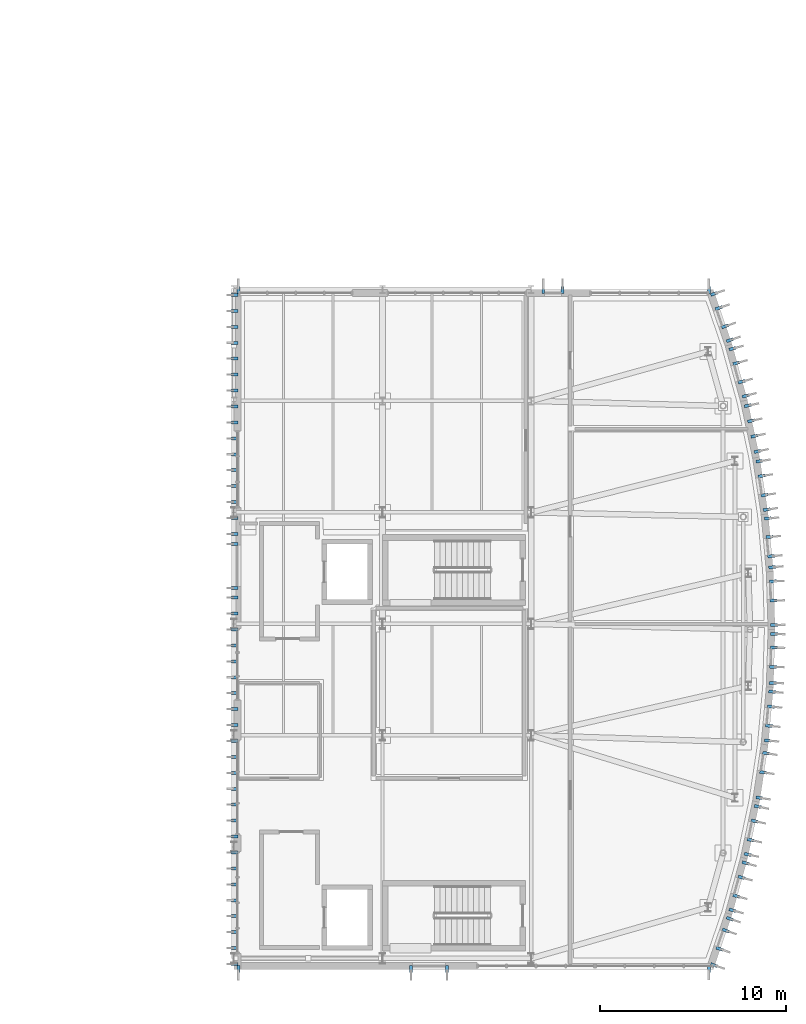
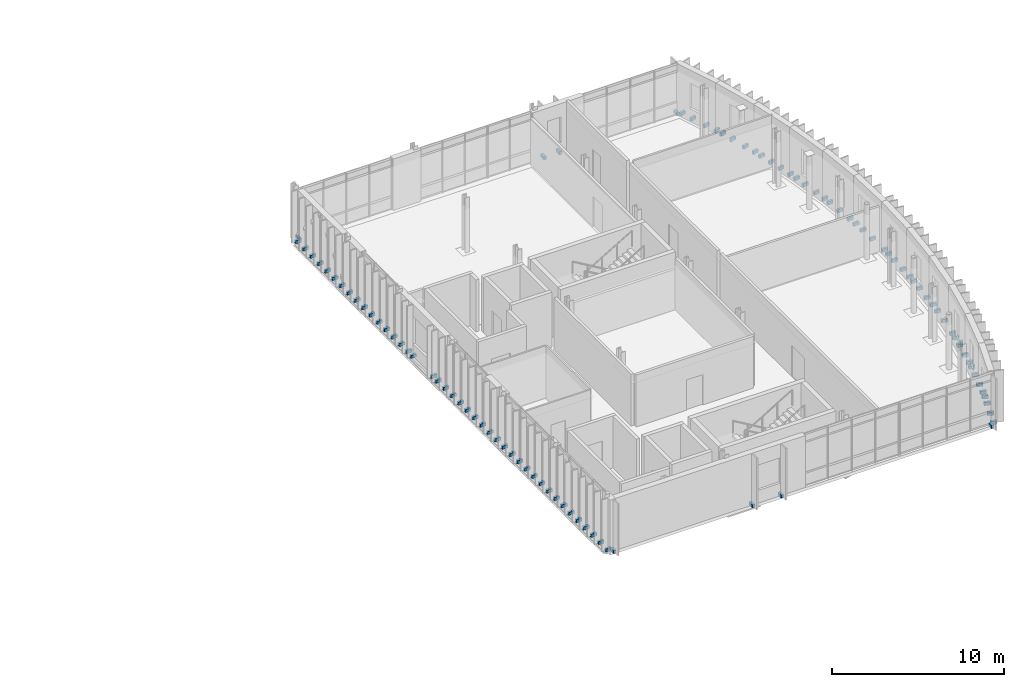
# One storey, part 32 of 43: 96 discrete accessories.
"""IFC4 building model written with IfcOpenShell, lengths in metres."""

from ifc_helpers import new_model, si_unit, direction, frame, origin, origin_2d, place, context, subcontext, project, spatial, rectangle, extrude, material, type_object, element, save


model = new_model("IFC4")

# Units and contexts
model_context = context("Model", 3, precision=1e-05, world=origin(), true_north=direction((0.0, 1.0)))
body_context = subcontext(model_context, "Body", "Model", "MODEL_VIEW")
ifc_project = project(units=[si_unit("LENGTHUNIT", "METRE"), si_unit("AREAUNIT", "SQUARE_METRE"), si_unit("VOLUMEUNIT", "CUBIC_METRE"), si_unit("PLANEANGLEUNIT", "RADIAN"), si_unit("MASSUNIT", "GRAM", prefix="KILO")], contexts=[model_context])

# Site, building, storey
site_placement = place(None, origin())
site = spatial("IfcSite", under=ifc_project, at=site_placement, CompositionType="ELEMENT")
building_placement = place(site_placement, origin())
building = spatial("IfcBuilding", under=site, at=building_placement, Name="Cymarion Research Institute", CompositionType="ELEMENT")
storey_placement = place(building_placement, frame((0.0, 0.0, 22.800048828125)))
storey = spatial("IfcBuildingStorey", under=building, at=storey_placement, Name="L05", CompositionType="ELEMENT", Elevation=22.800048828125)

# Discrete accessories
ifc_material = material(Name="Steel S355", Category="steel")
discrete_accessory_type = type_object("IfcDiscreteAccessoryType", Name="STAINLESS STEEL FACADE FIN BRACKET FBK1", PredefinedType="BRACKET", material=ifc_material)
for number, where, z_axis, x_axis, name in (
    (1, (138.840087890625, 4.93994140625, -0.08984375), (0.0, 0.0, 1.0), (0.0, -1.0, 0.0), "L05 V1 precast fin anchor bracket #505"),
    (2, (148.131103515625, 4.93994140625, -0.08984375), (0.0, 0.0, 1.0), (0.0, -1.0, 0.0), "L05 V1 precast fin anchor bracket #506"),
    (3, (150.071044921875, 4.93994140625, -0.08984375), (0.0, 0.0, 1.0), (0.0, -1.0, 0.0), "L05 V1 precast fin anchor bracket #507"),
    (4, (164.159912109375, 4.93994140625, -0.08984375), (0.0, 0.0, 1.0), (0.0, -1.0, 0.0), "L05 V1 precast fin anchor bracket #508"),
    (5, (164.439697265625, 5.139892578125, -0.08984375), (0.0, 0.0, 1.0), (0.946141878672, -0.32375229022, 0.0), "L05 V1 precast fin anchor bracket #509"),
    (6, (164.7392578125, 6.014892578125, -0.08984375), (0.0, 0.0, 1.0), (0.946141878672, -0.32375229022, 0.0), "L05 V1 precast fin anchor bracket #510"),
    (7, (165.07568359375, 6.998779296875, -0.08984375), (0.0, 0.0, 1.0), (0.946141878672, -0.32375229022, 0.0), "L05 V1 precast fin anchor bracket #511"),
    (8, (165.293212890625, 7.634521484375, -0.08984375), (0.0, 0.0, 1.0), (0.946141878672, -0.32375229022, 0.0), "L05 V1 precast fin anchor bracket #512"),
    (9, (165.43408203125, 8.090576171875, -0.08984375), (0.0, 0.0, 1.0), (0.963863295733, -0.266397348219, 0.0), "L05 V1 precast fin anchor bracket #513"),
    (10, (165.645263671875, 8.853759765625, -0.08984375), (0.0, 0.0, 1.0), (0.963863295733, -0.266397348219, 0.0), "L05 V1 precast fin anchor bracket #514"),
    (11, (165.92236328125, 9.856201171875, -0.08984375), (0.0, 0.0, 1.0), (0.963863295733, -0.266397348219, 0.0), "L05 V1 precast fin anchor bracket #515"),
    (12, (166.13671875, 10.631591796875, -0.08984375), (0.0, 0.0, 1.0), (0.963863295733, -0.266397348219, 0.0), "L05 V1 precast fin anchor bracket #516"),
    (13, (166.25, 11.09521484375, -0.08984375), (0.0, 0.0, 1.0), (0.978074966272, -0.208253116068, 0.0), "L05 V1 precast fin anchor bracket #517"),
    (14, (166.4150390625, 11.869873046875, -0.08984375), (0.0, 0.0, 1.0), (0.978074966272, -0.208253116068, 0.0), "L05 V1 precast fin anchor bracket #518"),
    (15, (166.631591796875, 12.886962890625, -0.08984375), (0.0, 0.0, 1.0), (0.978074966272, -0.208253116068, 0.0), "L05 V1 precast fin anchor bracket #519"),
    (16, (166.799072265625, 13.673583984375, -0.08984375), (0.0, 0.0, 1.0), (0.978074966272, -0.208253116068, 0.0), "L05 V1 precast fin anchor bracket #520"),
    (17, (166.884521484375, 14.143310546875, -0.08984375), (0.0, 0.0, 1.0), (0.988782464828, -0.149362770624, 0.0), "L05 V1 precast fin anchor bracket #521"),
    (18, (167.091064453125, 15.511962890625, -0.08984375), (0.0, 0.0, 1.0), (0.988782464828, -0.149362770624, 0.0), "L05 V1 precast fin anchor bracket #522"),
    (19, (167.24609375, 16.540283203125, -0.08984375), (0.0, 0.0, 1.0), (0.988782464828, -0.149362770624, 0.0), "L05 V1 precast fin anchor bracket #523"),
    (20, (167.3349609375, 17.22412109375, -0.08984375), (0.0, 0.0, 1.0), (0.995963111248, -0.089763472712, 0.0), "L05 V1 precast fin anchor bracket #524"),
    (21, (167.406005859375, 18.0126953125, -0.08984375), (0.0, 0.0, 1.0), (0.995963111248, -0.089763472712, 0.0), "L05 V1 precast fin anchor bracket #525"),
    (22, (167.49951171875, 19.048583984375, -0.08984375), (0.0, 0.0, 1.0), (0.995963111248, -0.089763472712, 0.0), "L05 V1 precast fin anchor bracket #526"),
    (23, (167.57177734375, 19.849609375, -0.08984375), (0.0, 0.0, 1.0), (0.995963111248, -0.089763472712, 0.0), "L05 V1 precast fin anchor bracket #527"),
    (24, (167.600341796875, 20.326171875, -0.08984375), (0.0, 0.0, 1.0), (0.99954944375, -0.030015154483, 0.0), "L05 V1 precast fin anchor bracket #528"),
    (25, (167.626220703125, 21.188720703125, -0.08984375), (0.0, 0.0, 1.0), (0.99954944375, -0.030015154483, 0.0), "L05 V1 precast fin anchor bracket #529"),
    (26, (167.6572265625, 22.228271484375, -0.08984375), (0.0, 0.0, 1.0), (0.99954944375, -0.030015154483, 0.0), "L05 V1 precast fin anchor bracket #530"),
    (27, (167.67919921875, 22.961181640625, -0.08984375), (0.0, 0.0, 1.0), (0.99954944375, -0.030015154483, 0.0), "L05 V1 precast fin anchor bracket #531"),
    (28, (167.67919921875, 23.438720703125, -0.08984375), (0.0, 0.0, 1.0), (0.99954944375, 0.030015154483, 0.0), "L05 V1 precast fin anchor bracket #532"),
    (29, (167.639892578125, 24.754150390625, -0.08984375), (0.0, 0.0, 1.0), (0.99954944375, 0.030015154483, 0.0), "L05 V1 precast fin anchor bracket #533"),
    (30, (167.608642578125, 25.793701171875, -0.08984375), (0.0, 0.0, 1.0), (0.99954944375, 0.030015154483, 0.0), "L05 V1 precast fin anchor bracket #534"),
    (31, (167.57177734375, 26.55029296875, -0.08984375), (0.0, 0.0, 1.0), (0.995963111248, 0.089763472712, 0.0), "L05 V1 precast fin anchor bracket #535"),
    (32, (167.518310546875, 27.143798828125, -0.08984375), (0.0, 0.0, 1.0), (0.995963111248, 0.089763472712, 0.0), "L05 V1 precast fin anchor bracket #536"),
    (33, (167.4248046875, 28.1796875, -0.08984375), (0.0, 0.0, 1.0), (0.995963111248, 0.089763472712, 0.0), "L05 V1 precast fin anchor bracket #537"),
    (34, (167.3349609375, 29.176025390625, -0.08984375), (0.0, 0.0, 1.0), (0.995963111248, 0.089763472712, 0.0), "L05 V1 precast fin anchor bracket #538"),
    (35, (167.27783203125, 29.64990234375, -0.08984375), (0.0, 0.0, 1.0), (0.988782464828, 0.149362770624, 0.0), "L05 V1 precast fin anchor bracket #539"),
    (36, (167.15966796875, 30.43310546875, -0.08984375), (0.0, 0.0, 1.0), (0.988782464828, 0.149362770624, 0.0), "L05 V1 precast fin anchor bracket #540"),
    (37, (167.00439453125, 31.46142578125, -0.08984375), (0.0, 0.0, 1.0), (0.988782464828, 0.149362770624, 0.0), "L05 V1 precast fin anchor bracket #541"),
    (38, (166.884521484375, 32.256591796875, -0.08984375), (0.0, 0.0, 1.0), (0.988782464828, 0.149362770624, 0.0), "L05 V1 precast fin anchor bracket #542"),
    (39, (166.78662109375, 32.784912109375, -0.08984375), (0.0, 0.0, 1.0), (0.978074966272, 0.208253116068, 0.0), "L05 V1 precast fin anchor bracket #543"),
    (40, (166.61181640625, 33.60546875, -0.08984375), (0.0, 0.0, 1.0), (0.978074966272, 0.208253116068, 0.0), "L05 V1 precast fin anchor bracket #544"),
    (41, (166.437255859375, 34.42578125, -0.08984375), (0.0, 0.0, 1.0), (0.978074966272, 0.208253116068, 0.0), "L05 V1 precast fin anchor bracket #545"),
    (42, (166.262451171875, 35.24609375, -0.08984375), (0.0, 0.0, 1.0), (0.978074966272, 0.208253116068, 0.0), "L05 V1 precast fin anchor bracket #546"),
    (43, (166.13671875, 35.7685546875, -0.08984375), (0.0, 0.0, 1.0), (0.963863295733, 0.266397348219, 0.0), "L05 V1 precast fin anchor bracket #547"),
    (44, (165.925537109375, 36.531982421875, -0.08984375), (0.0, 0.0, 1.0), (0.963863295733, 0.266397348219, 0.0), "L05 V1 precast fin anchor bracket #548"),
    (45, (165.6484375, 37.5341796875, -0.08984375), (0.0, 0.0, 1.0), (0.963863295733, 0.266397348219, 0.0), "L05 V1 precast fin anchor bracket #549"),
    (46, (165.43408203125, 38.3095703125, -0.08984375), (0.0, 0.0, 1.0), (0.963863295733, 0.266397348219, 0.0), "L05 V1 precast fin anchor bracket #550"),
    (47, (165.293212890625, 38.765625, -0.08984375), (0.0, 0.0, 1.0), (0.946141878672, 0.32375229022, 0.0), "L05 V1 precast fin anchor bracket #551"),
    (48, (165.036865234375, 39.514892578125, -0.08984375), (0.0, 0.0, 1.0), (0.946141878672, 0.32375229022, 0.0), "L05 V1 precast fin anchor bracket #552"),
    (49, (164.7001953125, 40.4990234375, -0.08984375), (0.0, 0.0, 1.0), (0.946141878672, 0.32375229022, 0.0), "L05 V1 precast fin anchor bracket #553"),
    (50, (164.439697265625, 41.260009765625, -0.08984375), (0.0, 0.0, 1.0), (0.946141878672, 0.32375229022, 0.0), "L05 V1 precast fin anchor bracket #554"),
    (51, (164.159912109375, 41.4599609375, -0.08984375), (0.0, 0.0, 1.0), (0.0, 1.0, 0.0), "L05 V1 precast fin anchor bracket #555"),
    (52, (156.289794921875, 41.4599609375, -0.08984375), (0.0, 0.0, 1.0), (0.0, 1.0, 0.0), "L05 V1 precast fin anchor bracket #556"),
    (53, (155.249755859375, 41.4599609375, -0.08984375), (0.0, 0.0, 1.0), (0.0, 1.0, 0.0), "L05 V1 precast fin anchor bracket #557"),
    (54, (138.840087890625, 41.4599609375, -0.08984375), (0.0, 0.0, 1.0), (0.0, 1.0, 0.0), "L05 V1 precast fin anchor bracket #558"),
    (55, (138.639892578125, 41.199951171875, -0.08984375), (0.0, 0.0, 1.0), (-1.0, 0.0, 0.0), "L05 V1 precast fin anchor bracket #559"),
    (56, (138.639892578125, 40.343017578125, -0.08984375), (0.0, 0.0, 1.0), (-1.0, 0.0, 0.0), "L05 V1 precast fin anchor bracket #560"),
    (57, (138.639892578125, 39.485595703125, -0.08984375), (0.0, 0.0, 1.0), (-1.0, 0.0, 0.0), "L05 V1 precast fin anchor bracket #561"),
    (58, (138.639892578125, 38.628662109375, -0.08984375), (0.0, 0.0, 1.0), (-1.0, 0.0, 0.0), "L05 V1 precast fin anchor bracket #562"),
    (59, (138.639892578125, 37.771484375, -0.08984375), (0.0, 0.0, 1.0), (-1.0, 0.0, 0.0), "L05 V1 precast fin anchor bracket #563"),
    (60, (138.639892578125, 36.914306640625, -0.08984375), (0.0, 0.0, 1.0), (-1.0, 0.0, 0.0), "L05 V1 precast fin anchor bracket #564"),
    (61, (138.639892578125, 36.05712890625, -0.08984375), (0.0, 0.0, 1.0), (-1.0, 0.0, 0.0), "L05 V1 precast fin anchor bracket #565"),
    (62, (138.639892578125, 35.199951171875, -0.08984375), (0.0, 0.0, 1.0), (-1.0, 0.0, 0.0), "L05 V1 precast fin anchor bracket #566"),
    (63, (138.639892578125, 34.343017578125, -0.08984375), (0.0, 0.0, 1.0), (-1.0, 0.0, 0.0), "L05 V1 precast fin anchor bracket #567"),
    (64, (138.639892578125, 33.485595703125, -0.08984375), (0.0, 0.0, 1.0), (-1.0, 0.0, 0.0), "L05 V1 precast fin anchor bracket #568"),
    (65, (138.639892578125, 32.628662109375, -0.08984375), (0.0, 0.0, 1.0), (-1.0, 0.0, 0.0), "L05 V1 precast fin anchor bracket #569"),
    (66, (138.639892578125, 31.771484375, -0.08984375), (0.0, 0.0, 1.0), (-1.0, 0.0, 0.0), "L05 V1 precast fin anchor bracket #570"),
    (67, (138.639892578125, 30.914306640625, -0.08984375), (0.0, 0.0, 1.0), (-1.0, 0.0, 0.0), "L05 V1 precast fin anchor bracket #571"),
    (68, (138.639892578125, 30.05712890625, -0.08984375), (0.0, 0.0, 1.0), (-1.0, 0.0, 0.0), "L05 V1 precast fin anchor bracket #572"),
    (69, (138.639892578125, 29.199951171875, -0.08984375), (0.0, 0.0, 1.0), (-1.0, 0.0, 0.0), "L05 V1 precast fin anchor bracket #573"),
    (70, (138.639892578125, 28.343017578125, -0.08984375), (0.0, 0.0, 1.0), (-1.0, 0.0, 0.0), "L05 V1 precast fin anchor bracket #574"),
    (71, (138.639892578125, 27.81005859375, -0.08984375), (0.0, 0.0, 1.0), (-1.0, 0.0, 0.0), "L05 V1 precast fin anchor bracket #575"),
    (72, (138.639892578125, 25.43994140625, -0.08984375), (0.0, 0.0, 1.0), (-1.0, 0.0, 0.0), "L05 V1 precast fin anchor bracket #576"),
    (73, (138.639892578125, 24.914306640625, -0.08984375), (0.0, 0.0, 1.0), (-1.0, 0.0, 0.0), "L05 V1 precast fin anchor bracket #577"),
    (74, (138.639892578125, 24.05712890625, -0.08984375), (0.0, 0.0, 1.0), (-1.0, 0.0, 0.0), "L05 V1 precast fin anchor bracket #578"),
    (75, (138.639892578125, 23.199951171875, -0.08984375), (0.0, 0.0, 1.0), (-1.0, 0.0, 0.0), "L05 V1 precast fin anchor bracket #579"),
    (76, (138.639892578125, 22.343017578125, -0.08984375), (0.0, 0.0, 1.0), (-1.0, 0.0, 0.0), "L05 V1 precast fin anchor bracket #580"),
    (77, (138.639892578125, 21.485595703125, -0.08984375), (0.0, 0.0, 1.0), (-1.0, 0.0, 0.0), "L05 V1 precast fin anchor bracket #581"),
    (78, (138.639892578125, 20.628662109375, -0.08984375), (0.0, 0.0, 1.0), (-1.0, 0.0, 0.0), "L05 V1 precast fin anchor bracket #582"),
    (79, (138.639892578125, 19.771484375, -0.08984375), (0.0, 0.0, 1.0), (-1.0, 0.0, 0.0), "L05 V1 precast fin anchor bracket #583"),
    (80, (138.639892578125, 18.914306640625, -0.08984375), (0.0, 0.0, 1.0), (-1.0, 0.0, 0.0), "L05 V1 precast fin anchor bracket #584"),
    (81, (138.639892578125, 18.05712890625, -0.08984375), (0.0, 0.0, 1.0), (-1.0, 0.0, 0.0), "L05 V1 precast fin anchor bracket #585"),
    (82, (138.639892578125, 17.199951171875, -0.08984375), (0.0, 0.0, 1.0), (-1.0, 0.0, 0.0), "L05 V1 precast fin anchor bracket #586"),
    (83, (138.639892578125, 16.343017578125, -0.08984375), (0.0, 0.0, 1.0), (-1.0, 0.0, 0.0), "L05 V1 precast fin anchor bracket #587"),
    (84, (138.639892578125, 15.485595703125, -0.08984375), (0.0, 0.0, 1.0), (-1.0, 0.0, 0.0), "L05 V1 precast fin anchor bracket #588"),
    (85, (138.639892578125, 14.628662109375, -0.08984375), (0.0, 0.0, 1.0), (-1.0, 0.0, 0.0), "L05 V1 precast fin anchor bracket #589"),
    (86, (138.639892578125, 13.771484375, -0.08984375), (0.0, 0.0, 1.0), (-1.0, 0.0, 0.0), "L05 V1 precast fin anchor bracket #590"),
    (87, (138.639892578125, 12.914306640625, -0.08984375), (0.0, 0.0, 1.0), (-1.0, 0.0, 0.0), "L05 V1 precast fin anchor bracket #591"),
    (88, (138.639892578125, 12.05712890625, -0.08984375), (0.0, 0.0, 1.0), (-1.0, 0.0, 0.0), "L05 V1 precast fin anchor bracket #592"),
    (89, (138.639892578125, 11.199951171875, -0.08984375), (0.0, 0.0, 1.0), (-1.0, 0.0, 0.0), "L05 V1 precast fin anchor bracket #593"),
    (90, (138.639892578125, 10.343017578125, -0.08984375), (0.0, 0.0, 1.0), (-1.0, 0.0, 0.0), "L05 V1 precast fin anchor bracket #594"),
    (91, (138.639892578125, 9.485595703125, -0.08984375), (0.0, 0.0, 1.0), (-1.0, 0.0, 0.0), "L05 V1 precast fin anchor bracket #595"),
    (92, (138.639892578125, 8.628662109375, -0.08984375), (0.0, 0.0, 1.0), (-1.0, 0.0, 0.0), "L05 V1 precast fin anchor bracket #596"),
    (93, (138.639892578125, 7.771484375, -0.08984375), (0.0, 0.0, 1.0), (-1.0, 0.0, 0.0), "L05 V1 precast fin anchor bracket #597"),
    (94, (138.639892578125, 6.914306640625, -0.08984375), (0.0, 0.0, 1.0), (-1.0, 0.0, 0.0), "L05 V1 precast fin anchor bracket #598"),
    (95, (138.639892578125, 6.05712890625, -0.08984375), (0.0, 0.0, 1.0), (-1.0, 0.0, 0.0), "L05 V1 precast fin anchor bracket #599"),
    (96, (138.639892578125, 5.199951171875, -0.08984375), (0.0, 0.0, 1.0), (-1.0, 0.0, 0.0), "L05 V1 precast fin anchor bracket #600"),
):
    element("IfcDiscreteAccessory", number, at=place(storey_placement, frame(where, z_axis=z_axis, x_axis=x_axis)), inside=storey, type_object=discrete_accessory_type, Name=name, PredefinedType="BRACKET", context=body_context, shape_type="SweptSolid", body=[
        extrude(rectangle(XDim=0.3798828125, YDim=0.159912109375, at=origin_2d()), origin(), (0.0, 0.0, 1.0), 0.219970703125),
    ])

save(model, "model.ifc")
